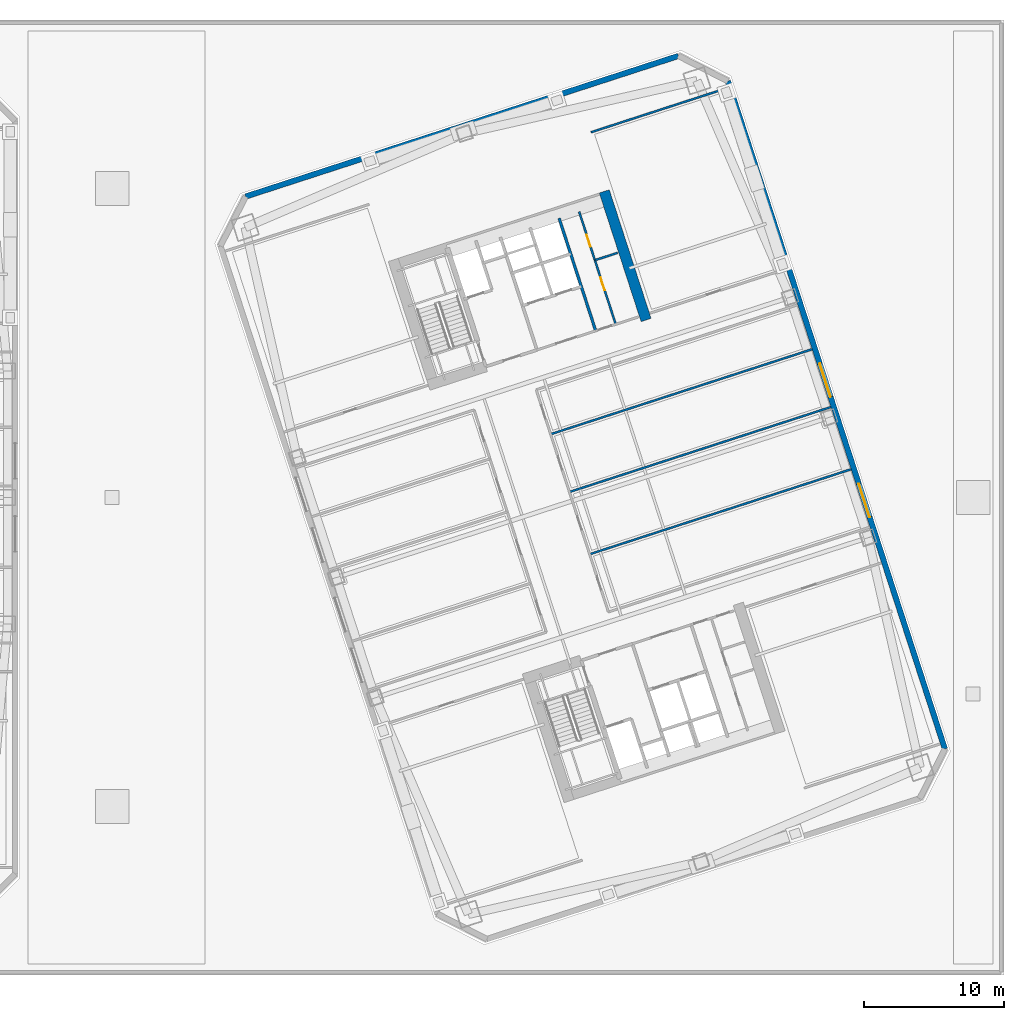
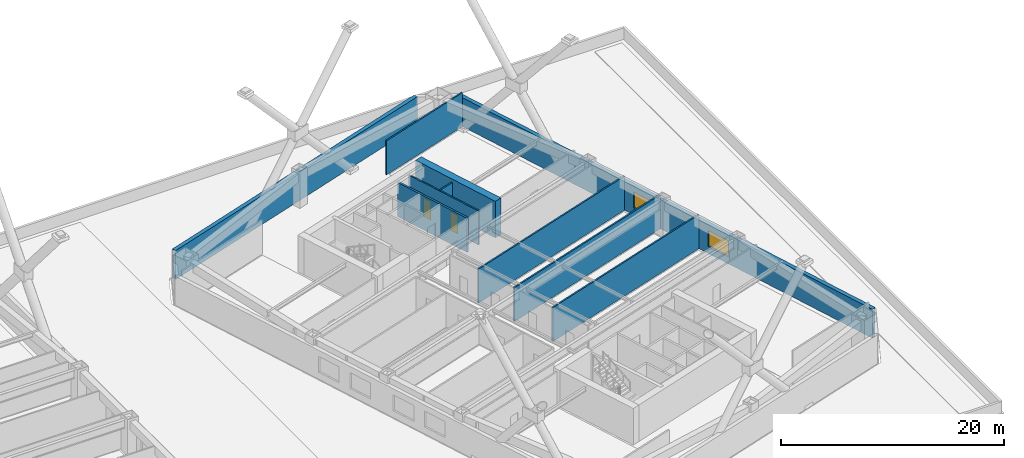
# One storey, part 11 of 20: 10 walls, 2 doors, 2 windows, 4 openings.
"""IFC4 building model written with IfcOpenShell, lengths in metres."""

from ifc_helpers import new_model, si_unit, direction, frame, frame_2d, origin, place, context, subcontext, project, spatial, rectangle, extrude, material, layer, layer_set, type_object, element, fill, save


model = new_model("IFC4")

# Units and contexts
model_context = context("Model", 3, precision=1e-05, world=origin(), true_north=direction((0.0, 1.0)))
body_context = subcontext(model_context, "Body", "Model", "MODEL_VIEW")
ifc_project = project(units=[si_unit("LENGTHUNIT", "METRE"), si_unit("AREAUNIT", "SQUARE_METRE"), si_unit("VOLUMEUNIT", "CUBIC_METRE"), si_unit("PLANEANGLEUNIT", "RADIAN"), si_unit("MASSUNIT", "GRAM", prefix="KILO")], contexts=[model_context])

# Site, building, storey
site_placement = place(None, origin())
site = spatial("IfcSite", under=ifc_project, at=site_placement, CompositionType="ELEMENT")
building_placement = place(site_placement, origin())
building = spatial("IfcBuilding", under=site, at=building_placement, Name="Qiaolan Cultural Towers", CompositionType="ELEMENT")
storey_placement = place(building_placement, frame((0.0, 0.0, 26.0)))
storey = spatial("IfcBuildingStorey", under=building, at=storey_placement, Name="L05", CompositionType="ELEMENT", Elevation=26.0)

# Walls
ifc_material_1 = material(Name="Concrete C60", Category="concrete")
ifc_layer_1 = layer(ifc_material_1, 0.75)
ifc_layer_set_1 = layer_set([ifc_layer_1], Name="Concrete C60")
wall_type_1 = type_object("IfcWallType", Name="WL-CORE-750", PredefinedType="SHEAR", material=ifc_layer_set_1)
wall_1_placement = place(storey_placement, frame((94.515380859375, 46.638916015625, 0.0), z_axis=(0.0, 0.0, 1.0), x_axis=(-0.309016134813, 0.951056795583, 0.0)))
element("IfcWall", 1, at=wall_1_placement, inside=storey, type_object=wall_type_1, Name="L05 T2-CN East Core Shear Wall", PredefinedType="SHEAR", context=body_context, shape_type="SweptSolid", body=[
    extrude(rectangle(XDim=9.630126953125, YDim=0.75, at=frame_2d((4.81494140625, 0.0))), origin(), (0.0, 0.0, 1.0), 4.0),
])
ifc_material_2 = material(Name="Precast Concrete C50 Honed Stone Pier", Category="masonry")
ifc_layer_2 = layer(ifc_material_2, 0.39990234375)
ifc_layer_set_2 = layer_set([ifc_layer_2], Name="Precast Concrete C50 Honed Stone Pier")
wall_type_2 = type_object("IfcWallType", Name="WL-EXT-PIER-400", PredefinedType="SOLIDWALL", material=ifc_layer_set_2)
wall_2_placement = place(storey_placement, frame((66.002197265625, 55.433349609375, 0.0), z_axis=(0.0, 0.0, 1.0), x_axis=(0.951055939317, 0.309018770125, 0.0)))
element("IfcWall", 2, at=wall_2_placement, inside=storey, type_object=wall_type_2, Name="L05 East Tower Precast Pier Facade Wall F3", PredefinedType="SOLIDWALL", context=body_context, shape_type="SweptSolid", body=[
    extrude(rectangle(XDim=32.39990234375, YDim=0.39990234375, at=frame_2d((16.199951171875, 0.0))), origin(), (0.0, 0.0, 1.0), 3.159912109375),
])

# Wall, openings, windows
wall_3_placement = place(storey_placement, frame((100.3447265625, 63.647705078125, 0.0), z_axis=(0.0, 0.0, 1.0), x_axis=(0.309014526607, -0.951057318118, 0.0)))
wall_3 = element("IfcWall", 3, at=wall_3_placement, inside=storey, type_object=wall_type_2, Name="L05 East Tower Precast Pier Facade Wall F5", PredefinedType="SOLIDWALL", context=body_context, shape_type="SweptSolid", body=[
    extrude(rectangle(XDim=49.999755859375, YDim=0.39990234375, at=frame_2d((25.0, 0.0))), origin(), (0.0, 0.0, 1.0), 3.159912109375),
])
opening_1_placement = place(wall_3_placement, frame((30.14990234375, 0.0, 0.75)))
opening_1 = element("IfcOpeningElement", 4, at=opening_1_placement, cuts=wall_3, Name="Opening W-01", PredefinedType="OPENING", context=body_context, shape_type="SweptSolid", body=[
    extrude(rectangle(XDim=2.5, YDim=1.75, at=frame_2d((1.25, 0.875))), frame((0.0, 0.2099609375, 0.0), z_axis=(0.0, -1.0, 0.0), x_axis=(1.0, 0.0, 0.0)), (0.0, 0.0, 1.0), 0.419921875),
])
opening_2_placement = place(wall_3_placement, frame((21.14990234375, 0.0, 0.75)))
opening_2 = element("IfcOpeningElement", 5, at=opening_2_placement, cuts=wall_3, Name="Opening W-01", PredefinedType="OPENING", context=body_context, shape_type="SweptSolid", body=[
    extrude(rectangle(XDim=2.5, YDim=1.75, at=frame_2d((1.25, 0.875))), frame((0.0, 0.2099609375, 0.0), z_axis=(0.0, -1.0, 0.0), x_axis=(1.0, 0.0, 0.0)), (0.0, 0.0, 1.0), 0.419921875),
])
ifc_material_3 = material(Name="Thermally Broken Aluminium Triple Low-E Glazing", Category="aluminium")
window_type = type_object("IfcWindowType", Name="WN-CHIC-2500", PartitioningType="SINGLE_PANEL", PredefinedType="WINDOW", material=ifc_material_3)
window_1_placement = place(opening_1_placement, origin())
window_1 = element("IfcWindow", 6, at=window_1_placement, inside=storey, type_object=window_type, Name="L05 T2 E Chicago Bay Window 1", OverallHeight=1.75, OverallWidth=2.5, PartitioningType="TRIPLE_PANEL_VERTICAL", PredefinedType="WINDOW", context=body_context, shape_type="SweptSolid", body=[
    extrude(rectangle(XDim=2.5, YDim=1.75, at=frame_2d((1.25, 0.875))), frame((0.0, 0.030029296875, 0.0), z_axis=(0.0, -1.0, 0.0), x_axis=(1.0, 0.0, 0.0)), (0.0, 0.0, 1.0), 0.06005859375),
])
fill(opening_1, window_1)
window_2_placement = place(opening_2_placement, origin())
window_2 = element("IfcWindow", 7, at=window_2_placement, inside=storey, type_object=window_type, Name="L05 T2 E Chicago Bay Window 2", OverallHeight=1.75, OverallWidth=2.5, PartitioningType="TRIPLE_PANEL_VERTICAL", PredefinedType="WINDOW", context=body_context, shape_type="SweptSolid", body=[
    extrude(rectangle(XDim=2.5, YDim=1.75, at=frame_2d((1.25, 0.875))), frame((0.0, 0.030029296875, 0.0), z_axis=(0.0, -1.0, 0.0), x_axis=(1.0, 0.0, 0.0)), (0.0, 0.0, 1.0), 0.06005859375),
])
fill(opening_2, window_2)

# Wall
ifc_material_4 = material(Name="Concrete C35 Fire Wall", Category="concrete")
ifc_layer_3 = layer(ifc_material_4, 0.199951171875)
ifc_layer_set_3 = layer_set([ifc_layer_3], Name="Concrete C35 Fire Wall")
wall_type_3 = type_object("IfcWallType", Name="WL-FIRE-200", PredefinedType="PARTITIONING", material=ifc_layer_set_3)
wall_4_placement = place(storey_placement, frame((90.92822265625, 45.86767578125, 0.0), z_axis=(0.0, 0.0, 1.0), x_axis=(-0.309042196757, 0.951048327176, 0.0)))
element("IfcWall", 8, at=wall_4_placement, inside=storey, type_object=wall_type_3, Name="L05 T2-CN Lift Core East Wall", PredefinedType="PARTITIONING", context=body_context, shape_type="SweptSolid", body=[
    extrude(rectangle(XDim=8.429931640625, YDim=0.199951171875, at=frame_2d((4.21484375, 0.0))), origin(), (0.0, 0.0, 1.0), 3.72509765625),
])

# Wall, openings, doors
ifc_material_5 = material(Name="Autoclaved Aerated Concrete Block B06", Category="concrete")
ifc_layer_4 = layer(ifc_material_5, 0.14990234375)
ifc_layer_set_4 = layer_set([ifc_layer_4], Name="Autoclaved Aerated Concrete Block B06")
wall_type_4 = type_object("IfcWallType", Name="WL-PART-150", PredefinedType="PARTITIONING", material=ifc_layer_set_4)
wall_5_placement = place(storey_placement, frame((92.354736328125, 46.3310546875, 0.0), z_axis=(0.0, 0.0, 1.0), x_axis=(-0.309007490203, 0.951059604335, 0.0)))
wall_5 = element("IfcWall", 9, at=wall_5_placement, inside=storey, type_object=wall_type_4, Name="L05 T2-CN Washroom Split Wall", PredefinedType="PARTITIONING", context=body_context, shape_type="SweptSolid", body=[
    extrude(rectangle(XDim=8.43017578125, YDim=0.14990234375, at=frame_2d((4.215087890625, 0.0))), origin(), (0.0, 0.0, 1.0), 3.72509765625),
])
opening_3_placement = place(wall_5_placement, frame((2.550048828125, 0.0, 0.0)))
opening_3 = element("IfcOpeningElement", 10, at=opening_3_placement, cuts=wall_5, Name="Opening ID-05", PredefinedType="OPENING", context=body_context, shape_type="SweptSolid", body=[
    extrude(rectangle(XDim=0.949951171875, YDim=2.050048828125, at=frame_2d((0.47509765625, 1.02490234375))), frame((0.0, 0.0849609375, 0.0), z_axis=(0.0, -1.0, 0.0), x_axis=(1.0, 0.0, 0.0)), (0.0, 0.0, 1.0), 0.169921875),
])
opening_4_placement = place(wall_5_placement, frame((5.800048828125, 0.0, 0.0)))
opening_4 = element("IfcOpeningElement", 11, at=opening_4_placement, cuts=wall_5, Name="Opening ID-06", PredefinedType="OPENING", context=body_context, shape_type="SweptSolid", body=[
    extrude(rectangle(XDim=0.89990234375, YDim=2.050048828125, at=frame_2d((0.449951171875, 1.02490234375))), frame((0.0, 0.0849609375, 0.0), z_axis=(0.0, -1.0, 0.0), x_axis=(1.0, 0.0, 0.0)), (0.0, 0.0, 1.0), 0.169921875),
])
ifc_material_6 = material(Name="Fire-Rated Laminate Core Service Door", Category="timber")
door_type_1 = type_object("IfcDoorType", Name="DR-INT-900", OperationType="NOTDEFINED", PredefinedType="DOOR", material=ifc_material_6)
door_1_placement = place(opening_4_placement, origin())
door_1 = element("IfcDoor", 12, at=door_1_placement, inside=storey, type_object=door_type_1, Name="L05 First-Aid Room Door", OperationType="SINGLE_SWING_RIGHT", OverallHeight=2.050048828125, OverallWidth=0.89990234375, PredefinedType="DOOR", context=body_context, shape_type="SweptSolid", body=[
    extrude(rectangle(XDim=0.89990234375, YDim=2.050048828125, at=frame_2d((0.449951171875, 1.02490234375))), frame((0.0, 0.02490234375, 0.0), z_axis=(0.0, -1.0, 0.0), x_axis=(1.0, 0.0, 0.0)), (0.0, 0.0, 1.0), 0.050048828125),
])
fill(opening_4, door_1)
ifc_material_7 = material(Name="Fire-Rated Laminate Accessible Core Door", Category="timber")
door_type_2 = type_object("IfcDoorType", Name="DR-INT-950", OperationType="NOTDEFINED", PredefinedType="DOOR", material=ifc_material_7)
door_2_placement = place(opening_3_placement, origin())
door_2 = element("IfcDoor", 13, at=door_2_placement, inside=storey, type_object=door_type_2, Name="L05 Accessible Washroom Door", OperationType="SINGLE_SWING_LEFT", OverallHeight=2.050048828125, OverallWidth=0.949951171875, PredefinedType="DOOR", context=body_context, shape_type="SweptSolid", body=[
    extrude(rectangle(XDim=0.949951171875, YDim=2.050048828125, at=frame_2d((0.47509765625, 1.02490234375))), frame((0.0, 0.02490234375, 0.0), z_axis=(0.0, -1.0, 0.0), x_axis=(1.0, 0.0, 0.0)), (0.0, 0.0, 1.0), 0.050048828125),
])
fill(opening_3, door_2)

# Walls
wall_6_placement = place(storey_placement, frame((90.871337890625, 50.896240234375, 0.0), z_axis=(0.0, 0.0, 1.0), x_axis=(0.951054116971, 0.309024378638, 0.0)))
element("IfcWall", 14, at=wall_6_placement, inside=storey, type_object=wall_type_4, Name="L05 T2-CN First-Aid Wall", PredefinedType="PARTITIONING", context=body_context, shape_type="SweptSolid", body=[
    extrude(rectangle(XDim=1.7001953125, YDim=0.14990234375, at=frame_2d((0.85009765625, 0.0))), origin(), (0.0, 0.0, 1.0), 3.72509765625),
])
wall_7_placement = place(storey_placement, frame((90.5927734375, 60.006103515625, 0.0), z_axis=(0.0, 0.0, 1.0), x_axis=(0.951059043131, 0.309009217467, 0.0)))
element("IfcWall", 15, at=wall_7_placement, inside=storey, type_object=wall_type_4, Name="L05 T2 Flank Wall FLK-NE", PredefinedType="PARTITIONING", context=body_context, shape_type="SweptSolid", body=[
    extrude(rectangle(XDim=10.199951171875, YDim=0.14990234375, at=frame_2d((5.10009765625, 0.0))), origin(), (0.0, 0.0, 1.0), 3.72509765625),
])
for number, where, z_axis, x_axis, name in (
    (16, (90.4970703125, 29.96240234375, 0.0), (0.0, 0.0, 1.0), (0.951055605195, 0.309019798438, 0.0), "L05 T2 East Partition 1"),
    (17, (89.05712890625, 34.3935546875, 0.0), (0.0, 0.0, 1.0), (0.951055605195, 0.309019798438, 0.0), "L05 T2 East Partition 2"),
    (18, (87.72021484375, 38.50830078125, 0.0), (0.0, 0.0, 1.0), (0.951059270613, 0.309008517326, 0.0), "L05 T2 East Partition 3"),
):
    element("IfcWall", number, at=place(storey_placement, frame(where, z_axis=z_axis, x_axis=x_axis)), inside=storey, type_object=wall_type_4, Name=name, PredefinedType="PARTITIONING", context=body_context, shape_type="SweptSolid", body=[
        extrude(rectangle(XDim=19.574951171875, YDim=0.14990234375, at=frame_2d((9.78759765625, 0.0))), origin(), (0.0, 0.0, 1.0), 3.72509765625),
    ])

save(model, "model.ifc")
